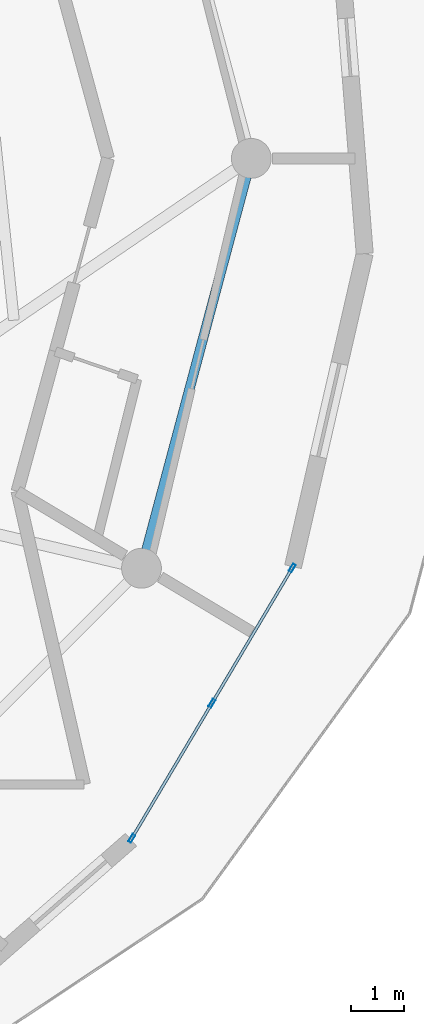
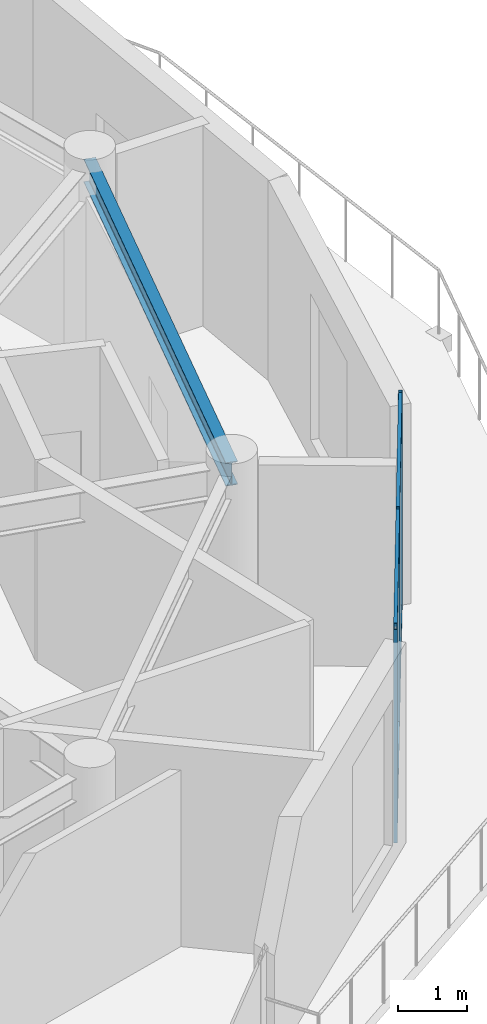
# One storey, part 12 of 22: 7 members, 1 beam, 1 element without a shape of its own.
"""IFC4 building model written with IfcOpenShell, lengths in metres."""

import ifcopenshell
import ifcopenshell.guid

model = None  # the IFC model being written
_history = None  # IfcOwnerHistory: only IFC2X3 demands one
_inside = {}  # id of a spatial element -> (the spatial element, [elements in it])
_under = {}  # id of a project, library or spatial element -> (it, [spatial elements below it])
_declared = {}  # id of a project -> (the project, [libraries it declares])
_typed = {}  # id of a type object -> (the type object, [elements of that type])
_made_of = {}  # id of a material, layer set ... -> (it, [elements and type objects made of it])


def new_model(schema):
    """Start an empty IFC model of exactly this schema.

    Asked for "IFC4X3", IfcOpenShell would pick the latest addendum, in which some entities
    have other attributes; the version numbers below select the first issue.
    IFC2X3 requires an IfcOwnerHistory on every rooted entity: one is made here for all.
    """
    global model, _history
    if schema == "IFC4X3":
        model = ifcopenshell.file(schema_version=(4, 3, 0, 0))
    else:
        model = ifcopenshell.file(schema=schema)
    _inside.clear()
    _under.clear()
    _declared.clear()
    _typed.clear()
    _made_of.clear()
    _history = None
    if model.schema == "IFC2X3":
        org = make("IfcOrganization", Name="unknown")
        user = make(
            "IfcPersonAndOrganization",
            ThePerson=make("IfcPerson", FamilyName="unknown"),
            TheOrganization=org,
        )
        app = make(
            "IfcApplication",
            ApplicationDeveloper=org,
            Version="unknown",
            ApplicationFullName="unknown",
            ApplicationIdentifier="unknown",
        )
        _history = make(
            "IfcOwnerHistory",
            OwningUser=user,
            OwningApplication=app,
            ChangeAction="ADDED",
            CreationDate=0,
        )
    return model


def make(cls, **values):
    """One entity of the class cls with the attributes given. An attribute that is None is left unset."""
    return model.create_entity(
        cls, **{name: value for name, value in values.items() if value is not None}
    )


def rooted(cls, **values):
    """An entity with a GlobalId (a new one), such as an element, a storey or a relation."""
    return make(cls, GlobalId=ifcopenshell.guid.new(), OwnerHistory=_history, **values)


def si_unit(unit_type, name, prefix=None):
    """IfcSIUnit, for example si_unit("LENGTHUNIT", "METRE", prefix="MILLI")."""
    return make("IfcSIUnit", UnitType=unit_type, Prefix=prefix, Name=name)


def assignment(units):
    """IfcUnitAssignment: the units of a project."""
    return None if units is None else make("IfcUnitAssignment", Units=units)


def point(xyz):
    """IfcCartesianPoint."""
    return None if xyz is None else make("IfcCartesianPoint", Coordinates=xyz)


def direction(xyz):
    """IfcDirection."""
    return None if xyz is None else make("IfcDirection", DirectionRatios=xyz)


def frame(location, z_axis=None, x_axis=None):
    """IfcAxis2Placement3D, a coordinate frame: its origin and axes. An axis left out is left unset."""
    return make(
        "IfcAxis2Placement3D",
        Location=point(location),
        Axis=direction(z_axis),
        RefDirection=direction(x_axis),
    )


def frame_2d(location, x_axis=None):
    """IfcAxis2Placement2D, a coordinate frame in the plane: its origin and x axis."""
    return make(
        "IfcAxis2Placement2D", Location=point(location), RefDirection=direction(x_axis)
    )


def origin():
    """The frame at (0, 0, 0) with its axes left unset."""
    return frame((0.0, 0.0, 0.0))


def origin_2d():
    """The frame at (0, 0) in the plane with its x axis left unset."""
    return frame_2d((0.0, 0.0))


def place(relative_to, where):
    """IfcLocalPlacement: puts the frame where relative to a parent placement (None: the world)."""
    return make(
        "IfcLocalPlacement", PlacementRelTo=relative_to, RelativePlacement=where
    )


def context(
    kind, dimensions, precision=None, world=None, true_north=None, identifier=None
):
    """IfcGeometricRepresentationContext, for example the 3D "Model" context."""
    return make(
        "IfcGeometricRepresentationContext",
        ContextIdentifier=identifier,
        ContextType=kind,
        CoordinateSpaceDimension=dimensions,
        Precision=precision,
        WorldCoordinateSystem=world,
        TrueNorth=true_north,
    )


def subcontext(parent, identifier, kind, view, scale=None):
    """IfcGeometricRepresentationSubContext, for example "Body" below "Model"."""
    return make(
        "IfcGeometricRepresentationSubContext",
        ContextIdentifier=identifier,
        ContextType=kind,
        ParentContext=parent,
        TargetScale=scale,
        TargetView=view,
    )


def project(units=None, contexts=None):
    """IfcProject with its units and contexts."""
    return rooted(
        "IfcProject",
        Name="project",
        RepresentationContexts=contexts,
        UnitsInContext=assignment(units),
    )


def spatial(cls, under=None, at=None, **own):
    """A site, building, storey or space (cls), placed at a placement, below another one or the project."""
    s = rooted(cls, ObjectPlacement=at, **own)
    if under is not None:
        _under.setdefault(under.id(), (under, []))[1].append(s)
    return s


def profile(cls, at=None, kind="AREA", **sizes):
    """A parametric profile (cls). Its sizes go by their IFC names, for example OverallWidth=200.0."""
    return make(cls, ProfileType=kind, Position=at, **sizes)


def hollow_rectangle(**sizes):
    """IfcRectangleHollowProfileDef."""
    return profile("IfcRectangleHollowProfileDef", **sizes)


def i_section(**sizes):
    """IfcIShapeProfileDef."""
    return profile("IfcIShapeProfileDef", **sizes)


def extrude(swept, where, along, depth):
    """IfcExtrudedAreaSolid: the profile swept, set in the frame where, extruded along a direction by depth."""
    return make(
        "IfcExtrudedAreaSolid",
        SweptArea=swept,
        Position=where,
        ExtrudedDirection=direction(along),
        Depth=depth,
    )


def shape(context_of_items, identifier, shape_type, items):
    """IfcShapeRepresentation: the items that make up one representation, for example the "Body"."""
    return make(
        "IfcShapeRepresentation",
        ContextOfItems=context_of_items,
        RepresentationIdentifier=identifier,
        RepresentationType=shape_type,
        Items=items,
    )


def source(mapping_origin, context_of_items, identifier, shape_type, items):
    """IfcRepresentationMap: a shape defined once, which mapped items show again and again."""
    return make(
        "IfcRepresentationMap",
        MappingOrigin=mapping_origin,
        MappedRepresentation=shape(context_of_items, identifier, shape_type, items),
    )


def transform(
    local_origin,
    x_axis=None,
    y_axis=None,
    z_axis=None,
    scale=None,
    scale2=None,
    scale3=None,
    uniform=True,
):
    """IfcCartesianTransformationOperator3D, or its non-uniform kind. x_axis, y_axis, z_axis: its Axis1, 2, 3."""
    if uniform:
        return make(
            "IfcCartesianTransformationOperator3D",
            Axis1=direction(x_axis),
            Axis2=direction(y_axis),
            LocalOrigin=point(local_origin),
            Scale=scale,
            Axis3=direction(z_axis),
        )
    return make(
        "IfcCartesianTransformationOperator3DnonUniform",
        Axis1=direction(x_axis),
        Axis2=direction(y_axis),
        LocalOrigin=point(local_origin),
        Scale=scale,
        Axis3=direction(z_axis),
        Scale2=scale2,
        Scale3=scale3,
    )


def mapped(mapping_source, mapping_target):
    """IfcMappedItem: shows the shape of a source again, moved by a transform."""
    return make(
        "IfcMappedItem", MappingSource=mapping_source, MappingTarget=mapping_target
    )


def material(Name=None, Category=None):
    """IfcMaterial."""
    return make("IfcMaterial", Name=Name, Category=Category)


def layer(
    of_material, thickness, ventilated=None, Name=None, Category=None, Priority=None
):
    """IfcMaterialLayer: one layer of a wall or slab, of a material (None: an air gap)."""
    return make(
        "IfcMaterialLayer",
        Material=of_material,
        LayerThickness=thickness,
        IsVentilated=ventilated,
        Name=Name,
        Category=Category,
        Priority=Priority,
    )


def layer_set(layers, Name=None):
    """IfcMaterialLayerSet."""
    return make("IfcMaterialLayerSet", MaterialLayers=layers, LayerSetName=Name)


def material_profile(
    of_material, cross_section, Name=None, Category=None, Priority=None
):
    """IfcMaterialProfile: a cross section and its material."""
    return make(
        "IfcMaterialProfile",
        Name=Name,
        Material=of_material,
        Profile=cross_section,
        Priority=Priority,
        Category=Category,
    )


def profile_set(profiles, Name=None, composite=None):
    """IfcMaterialProfileSet."""
    return make(
        "IfcMaterialProfileSet",
        Name=Name,
        MaterialProfiles=profiles,
        CompositeProfile=composite,
    )


def made_of(thing, what):
    """Note that an element or type object is made of a material, layer set ...; save() writes the relation."""
    if what is not None:
        _made_of.setdefault(what.id(), (what, []))[1].append(thing)
    return thing


def type_object(cls, material=None, **own):
    """A type object (cls), such as IfcWallType, which elements share."""
    return made_of(rooted(cls, **own), material)


def element(
    cls,
    number,
    at=None,
    inside=None,
    cuts=None,
    type_object=None,
    material=None,
    context=None,
    identifier="Body",
    shape_type=None,
    held_by="IfcProductDefinitionShape",
    body=None,
    shapes=None,
    **own,
):
    """One element of the class cls, such as IfcWall. Its Tag is "e" and its number.

    at: its placement. inside: the storey or other place that contains it. cuts: it is an
    opening in that element (IfcRelVoidsElement). A single representation is given by context,
    identifier, shape_type and body (its items); several are given by shapes. held_by: the class
    of the entity that holds the representations. save() writes the other relations.
    """
    e = rooted(cls, Tag="e%d" % number, ObjectPlacement=at, **own)
    if body is not None:
        shapes = [shape(context, identifier, shape_type, body)]
    if shapes is not None:
        e.Representation = make(held_by, Representations=shapes)
    if inside is not None:
        _inside.setdefault(inside.id(), (inside, []))[1].append(e)
    if cuts is not None:
        rooted(
            "IfcRelVoidsElement", RelatingBuildingElement=cuts, RelatedOpeningElement=e
        )
    if type_object is not None:
        _typed.setdefault(type_object.id(), (type_object, []))[1].append(e)
    return made_of(e, material)


def aggregate(whole, parts):
    """IfcRelAggregates: a whole, such as a stair, and the parts it consists of."""
    return rooted("IfcRelAggregates", RelatingObject=whole, RelatedObjects=parts)


def save(model, path):
    """Write the relations noted so far, then the file.

    IfcRelAggregates (storeys below a building ...), IfcRelContainedInSpatialStructure (elements
    in a storey), IfcRelDefinesByType, IfcRelAssociatesMaterial and IfcRelDeclares: one each for
    every whole, place, type object, material and project.
    """
    for whole, parts in _under.values():
        aggregate(whole, parts)
    for where, things in _inside.values():
        rooted(
            "IfcRelContainedInSpatialStructure",
            RelatedElements=things,
            RelatingStructure=where,
        )
    for kind, things in _typed.values():
        rooted("IfcRelDefinesByType", RelatedObjects=things, RelatingType=kind)
    for what, things in _made_of.values():
        rooted("IfcRelAssociatesMaterial", RelatedObjects=things, RelatingMaterial=what)
    for by, libraries in _declared.values():
        rooted("IfcRelDeclares", RelatingContext=by, RelatedDefinitions=libraries)
    model.write(path)


model = new_model("IFC4")

# Units and contexts
model_context = context("Model", 3, precision=1e-05, world=origin(), true_north=direction((0.0, 1.0)))
body_context = subcontext(model_context, "Body", "Model", "MODEL_VIEW")
ifc_project = project(units=[si_unit("LENGTHUNIT", "METRE"), si_unit("AREAUNIT", "SQUARE_METRE"), si_unit("VOLUMEUNIT", "CUBIC_METRE"), si_unit("PLANEANGLEUNIT", "RADIAN"), si_unit("MASSUNIT", "GRAM", prefix="KILO")], contexts=[model_context])

# Site, building, storey
site_placement = place(None, origin())
site = spatial("IfcSite", under=ifc_project, at=site_placement, CompositionType="ELEMENT")
building_placement = place(site_placement, origin())
building = spatial("IfcBuilding", under=site, at=building_placement, Name="Solvirekh Grand Hotel", CompositionType="ELEMENT")
storey_placement = place(building_placement, frame((0.0, 0.0, 239.199951171875)))
storey = spatial("IfcBuildingStorey", under=building, at=storey_placement, Name="L62", CompositionType="ELEMENT", Elevation=239.199951171875)

# Beam
ifc_material_1 = material(Name="Steel S355", Category="steel")
ifc_material_profile_1 = material_profile(ifc_material_1, i_section(OverallWidth=0.180908203125, OverallDepth=0.4169921875, WebThickness=0.010009765625, FlangeThickness=0.01611328125, FilletRadius=0.011962890625, at=origin_2d()), Name="W410X85")
ifc_profile_set_1 = profile_set([ifc_material_profile_1], Name="Steel S355")
beam_type = type_object("IfcBeamType", Name="Spandrel_Ring_W410", PredefinedType="SPANDREL", material=ifc_profile_set_1)
beam_placement = place(storey_placement, frame((13.3798828125, -7.72509765625, 3.362060546875), z_axis=(0.258834757072, 0.965921616143, 0.0), x_axis=(-0.965921616143, 0.258834757072, 0.0)))
element("IfcBeam", 1, at=beam_placement, inside=storey, type_object=beam_type, Name="L62 perimeter spandrel beam 12", PredefinedType="SPANDREL", context=body_context, shape_type="SweptSolid", body=[
    extrude(i_section(OverallWidth=0.180908203125, OverallDepth=0.4169921875, WebThickness=0.010009765625, FlangeThickness=0.01611328125, FilletRadius=0.011962890625, at=origin_2d()), origin(), (0.0, 0.0, 1.0), 7.99755859375),
])

# Curtain wall, members
ifc_material_2 = material(Name="Anodized Bronze Aluminium 6063-T6", Category="aluminium")
ifc_layer = layer(ifc_material_2, 0.159912109375)
ifc_layer_set = layer_set([ifc_layer], Name="Anodized Bronze Aluminium 6063-T6")
curtain_wall_type = type_object("IfcCurtainWallType", Name="CW_Sys4_HighZoneFlushBronzeCW", PredefinedType="NOTDEFINED", material=ifc_layer_set)
curtain_wall_placement = place(storey_placement, origin())
curtain_wall = element("IfcCurtainWall", 2, at=curtain_wall_placement, inside=storey, type_object=curtain_wall_type, Name="L62 unitised bronze-glass curtain wall CW-L62-C03", PredefinedType="NOTDEFINED")
ifc_material_profile_2 = material_profile(ifc_material_2, hollow_rectangle(XDim=0.06005859375, YDim=0.159912109375, WallThickness=0.0048828125, at=origin_2d()), Name="ALU RHS 160X60X5")
ifc_profile_set_2 = profile_set([ifc_material_profile_2], Name="Anodized Bronze Aluminium 6063-T6")
member_type_1 = type_object("IfcMemberType", Name="CWMullion_Sys4", PredefinedType="MULLION", material=ifc_profile_set_2)
shared_shape_1 = source(origin(), body_context, "Body", "SweptSolid", [
    extrude(hollow_rectangle(XDim=0.06005859375, YDim=0.159912109375, WallThickness=0.0048828125, at=origin_2d()), origin(), (0.0, 0.0, 1.0), 3.800048828125),
])
member_1_placement = place(storey_placement, frame((13.197265625, -12.816162109375, 0.0), z_axis=(0.0, 0.0, 1.0), x_axis=(-0.860003699356, 0.5102877983, 0.0)))
member_1 = element("IfcMember", 3, at=member_1_placement, type_object=member_type_1, Name="U04 mullion 1", PredefinedType="MULLION", context=body_context, shape_type="MappedRepresentation", body=[
    mapped(shared_shape_1, transform((0.0, 0.0, 0.0), x_axis=(1.0, 0.0, 0.0), y_axis=(0.0, 1.0, 0.0), z_axis=(0.0, 0.0, 1.0), scale=1.0)),
])
member_2_placement = place(storey_placement, frame((14.708984375, -10.2685546875, 0.0), z_axis=(0.0, 0.0, 1.0), x_axis=(-0.860003699356, 0.5102877983, 0.0)))
member_2 = element("IfcMember", 4, at=member_2_placement, type_object=member_type_1, Name="U04 mullion 2", PredefinedType="MULLION", context=body_context, shape_type="MappedRepresentation", body=[
    mapped(shared_shape_1, transform((0.0, 0.0, 0.0), x_axis=(1.0, 0.0, 0.0), y_axis=(0.0, 1.0, 0.0), z_axis=(0.0, 0.0, 1.0), scale=1.0)),
])
member_3_placement = place(storey_placement, frame((16.220703125, -7.720703125, 0.0), z_axis=(0.0, 0.0, 1.0), x_axis=(-0.860003699356, 0.5102877983, 0.0)))
member_3 = element("IfcMember", 5, at=member_3_placement, type_object=member_type_1, Name="U04 mullion 3", PredefinedType="MULLION", context=body_context, shape_type="MappedRepresentation", body=[
    mapped(shared_shape_1, transform((0.0, 0.0, 0.0), x_axis=(1.0, 0.0, 0.0), y_axis=(0.0, 1.0, 0.0), z_axis=(0.0, 0.0, 1.0), scale=1.0)),
])
ifc_material_profile_3 = material_profile(ifc_material_2, hollow_rectangle(XDim=0.054931640625, YDim=0.1201171875, WallThickness=0.00390625, at=origin_2d()), Name="ALU RHS 120X55X4")
ifc_profile_set_3 = profile_set([ifc_material_profile_3], Name="Anodized Bronze Aluminium 6063-T6")
member_type_2 = type_object("IfcMemberType", Name="CWTransom_Sys4", PredefinedType="USERDEFINED", material=ifc_profile_set_3)
shared_shape_2 = source(origin(), body_context, "Body", "SweptSolid", [
    extrude(hollow_rectangle(XDim=0.054931640625, YDim=0.1201171875, WallThickness=0.00390625, at=origin_2d()), origin(), (0.0, 0.0, 1.0), 2.90234375),
])
member_4_placement = place(storey_placement, frame((13.212646484375, -12.790283203125, 0.027587890625), z_axis=(0.510258860658, 0.860020869003, 0.0), x_axis=(-0.860020869003, 0.510258860658, 0.0)))
member_4 = element("IfcMember", 6, at=member_4_placement, type_object=member_type_2, Name="U04 transom 1.1", ObjectType="TRANSOM", PredefinedType="USERDEFINED", context=body_context, shape_type="MappedRepresentation", body=[
    mapped(shared_shape_2, transform((0.0, 0.0, 0.0), x_axis=(1.0, 0.0, 0.0), y_axis=(0.0, 1.0, 0.0), z_axis=(0.0, 0.0, 1.0), scale=1.0)),
])
member_5_placement = place(storey_placement, frame((13.212646484375, -12.790283203125, 3.7724609375), z_axis=(0.510258860658, 0.860020869003, 0.0), x_axis=(-0.860020869003, 0.510258860658, 0.0)))
member_5 = element("IfcMember", 7, at=member_5_placement, type_object=member_type_2, Name="U04 transom 1.2", ObjectType="TRANSOM", PredefinedType="USERDEFINED", context=body_context, shape_type="MappedRepresentation", body=[
    mapped(shared_shape_2, transform((0.0, 0.0, 0.0), x_axis=(1.0, 0.0, 0.0), y_axis=(0.0, 1.0, 0.0), z_axis=(0.0, 0.0, 1.0), scale=1.0)),
])
member_6_placement = place(storey_placement, frame((14.724365234375, -10.24267578125, 0.027587890625), z_axis=(0.510258860658, 0.860020869003, 0.0), x_axis=(-0.860020869003, 0.510258860658, 0.0)))
member_6 = element("IfcMember", 8, at=member_6_placement, type_object=member_type_2, Name="U04 transom 2.1", ObjectType="TRANSOM", PredefinedType="USERDEFINED", context=body_context, shape_type="MappedRepresentation", body=[
    mapped(shared_shape_2, transform((0.0, 0.0, 0.0), x_axis=(1.0, 0.0, 0.0), y_axis=(0.0, 1.0, 0.0), z_axis=(0.0, 0.0, 1.0), scale=1.0)),
])
member_7_placement = place(storey_placement, frame((14.724365234375, -10.24267578125, 3.7724609375), z_axis=(0.510258860658, 0.860020869003, 0.0), x_axis=(-0.860020869003, 0.510258860658, 0.0)))
member_7 = element("IfcMember", 9, at=member_7_placement, type_object=member_type_2, Name="U04 transom 2.2", ObjectType="TRANSOM", PredefinedType="USERDEFINED", context=body_context, shape_type="MappedRepresentation", body=[
    mapped(shared_shape_2, transform((0.0, 0.0, 0.0), x_axis=(1.0, 0.0, 0.0), y_axis=(0.0, 1.0, 0.0), z_axis=(0.0, 0.0, 1.0), scale=1.0)),
])
aggregate(curtain_wall, [member_1, member_2, member_3, member_4, member_5, member_6, member_7])

save(model, "model.ifc")
